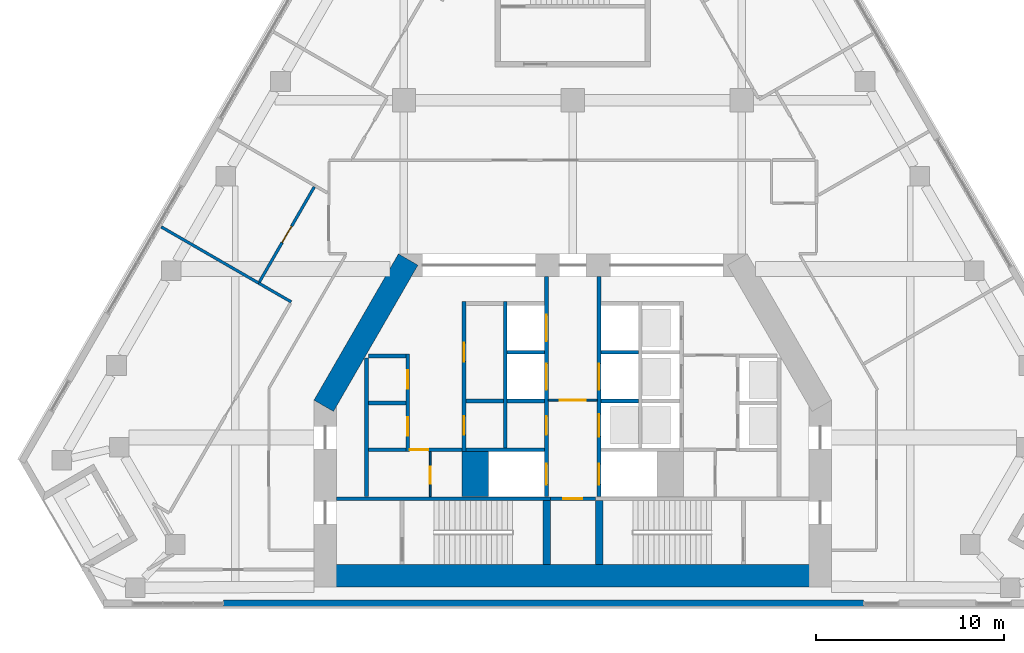
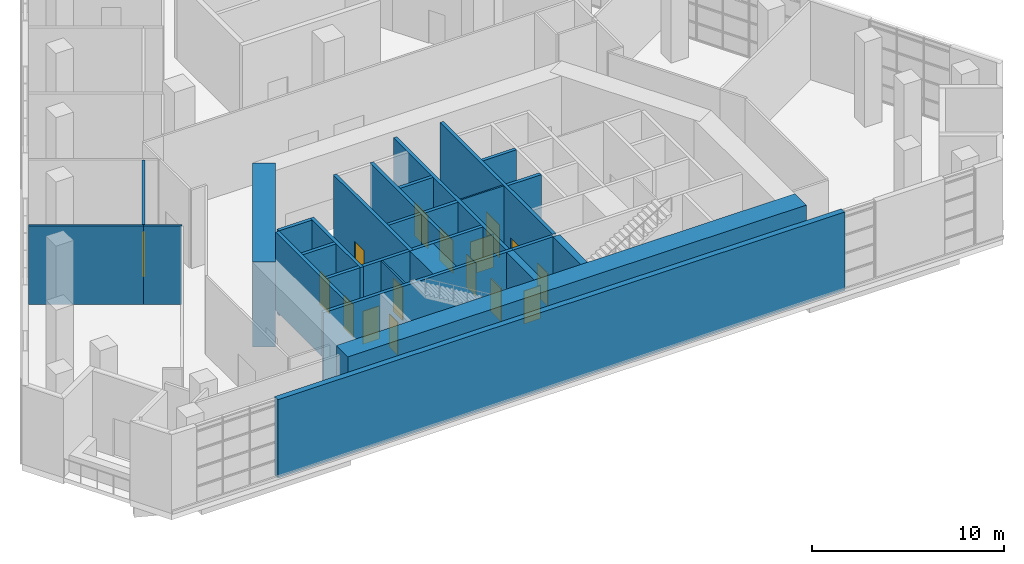
# One storey, part 13 of 18: 29 walls, 16 doors, 16 openings.
"""IFC4 building model written with IfcOpenShell, lengths in metres."""

from ifc_helpers import new_model, si_unit, direction, frame, frame_2d, origin, place, context, subcontext, project, spatial, rectangle, extrude, material, layer, layer_set, type_object, element, fill, save


model = new_model("IFC4")

# Units and contexts
model_context = context("Model", 3, precision=1e-05, world=origin(), true_north=direction((0.0, 1.0)))
body_context = subcontext(model_context, "Body", "Model", "MODEL_VIEW")
ifc_project = project(units=[si_unit("LENGTHUNIT", "METRE"), si_unit("AREAUNIT", "SQUARE_METRE"), si_unit("VOLUMEUNIT", "CUBIC_METRE"), si_unit("PLANEANGLEUNIT", "RADIAN"), si_unit("MASSUNIT", "GRAM", prefix="KILO")], contexts=[model_context])

# Site, building, storey
site_placement = place(None, origin())
site = spatial("IfcSite", under=ifc_project, at=site_placement, CompositionType="ELEMENT")
building_placement = place(site_placement, origin())
building = spatial("IfcBuilding", under=site, at=building_placement, Name="Fogline Exchange Tower", CompositionType="ELEMENT")
storey_placement = place(building_placement, frame((0.0, 0.0, 137.5)))
storey = spatial("IfcBuildingStorey", under=building, at=storey_placement, Name="L30", CompositionType="ELEMENT", Elevation=137.5)

# Wall, opening, door
ifc_material_1 = material(Name="Blockwork partition", Category="masonry")
ifc_layer_1 = layer(ifc_material_1, 0.10009765625)
ifc_layer_set_1 = layer_set([ifc_layer_1], Name="CW10")
wall_type_1 = type_object("IfcWallType", Name="CW10", PredefinedType="PARTITIONING", material=ifc_layer_set_1)
wall_1_placement = place(storey_placement, frame((-7.60009765625, 5.85009765625, 0.0), z_axis=(0.0, 0.0, 1.0), x_axis=(0.0, 1.0, 0.0)))
wall_1 = element("IfcWall", 1, at=wall_1_placement, inside=storey, type_object=wall_type_1, Name="WC partition", PredefinedType="PARTITIONING", context=body_context, shape_type="SweptSolid", body=[
    extrude(rectangle(XDim=2.39990234375, YDim=0.10009765625, at=frame_2d((1.199951171875, 0.0))), origin(), (0.0, 0.0, 1.0), 5.0),
])
opening_1_placement = place(wall_1_placement, frame((0.699951171875, 0.0, 0.0)))
opening_1 = element("IfcOpeningElement", 2, at=opening_1_placement, cuts=wall_1, Name="Opening T09-C008", PredefinedType="OPENING", context=body_context, shape_type="SweptSolid", body=[
    extrude(rectangle(XDim=0.89990234375, YDim=2.10009765625, at=frame_2d((0.449951171875, 1.050048828125))), frame((0.0, 0.06005859375, 0.0), z_axis=(0.0, -1.0, 0.0), x_axis=(1.0, 0.0, 0.0)), (0.0, 0.0, 1.0), 0.1201171875),
])
ifc_material_2 = material(Name="Steel and timber fire door", Category="steel")
door_type_1 = type_object("IfcDoorType", Name="D-CS1", OperationType="SINGLE_SWING_RIGHT", PredefinedType="DOOR", material=ifc_material_2)
door_1_placement = place(opening_1_placement, frame((0.89990234375, 0.0, 0.0), z_axis=(0.0, 0.0, 1.0), x_axis=(-1.0, 0.0, 0.0)))
door_1 = element("IfcDoor", 3, at=door_1_placement, inside=storey, type_object=door_type_1, Name="Door to Cleaner's Store", OperationType="SINGLE_SWING_RIGHT", OverallHeight=2.10009765625, OverallWidth=0.89990234375, PredefinedType="DOOR", context=body_context, shape_type="SweptSolid", body=[
    extrude(rectangle(XDim=0.89990234375, YDim=2.10009765625, at=frame_2d((0.449951171875, 1.050048828125))), frame((0.0, 0.02490234375, 0.0), z_axis=(0.0, -1.0, 0.0), x_axis=(1.0, 0.0, 0.0)), (0.0, 0.0, 1.0), 0.050048828125),
])
fill(opening_1, door_1)

wall_2_placement = place(storey_placement, frame((-1.300048828125, 11.0, 0.0), z_axis=(0.0, 0.0, 1.0), x_axis=(1.0, 0.0, 0.0)))
wall_2 = element("IfcWall", 4, at=wall_2_placement, inside=storey, type_object=wall_type_1, Name="Lift lobby partition", PredefinedType="PARTITIONING", context=body_context, shape_type="SweptSolid", body=[
    extrude(rectangle(XDim=2.60009765625, YDim=0.10009765625, at=frame_2d((1.300048828125, 0.0))), origin(), (0.0, 0.0, 1.0), 5.0),
])
opening_2_placement = place(wall_2_placement, frame((0.60009765625, 0.0, 0.0)))
opening_2 = element("IfcOpeningElement", 5, at=opening_2_placement, cuts=wall_2, Name="Opening T09-C018", PredefinedType="OPENING", context=body_context, shape_type="SweptSolid", body=[
    extrude(rectangle(XDim=1.39990234375, YDim=2.10009765625, at=frame_2d((0.699951171875, 1.050048828125))), frame((0.0, 0.06005859375, 0.0), z_axis=(0.0, -1.0, 0.0), x_axis=(1.0, 0.0, 0.0)), (0.0, 0.0, 1.0), 0.1201171875),
])
door_type_2 = type_object("IfcDoorType", Name="D-LB1", OperationType="DOUBLE_DOOR_SINGLE_SWING", PredefinedType="DOOR", material=ifc_material_2)
door_2_placement = place(opening_2_placement, frame((1.39990234375, 0.0, 0.0), z_axis=(0.0, 0.0, 1.0), x_axis=(-1.0, 0.0, 0.0)))
door_2 = element("IfcDoor", 6, at=door_2_placement, inside=storey, type_object=door_type_2, Name="Door to firefighting lift lobby", OperationType="DOUBLE_DOOR_SINGLE_SWING", OverallHeight=2.10009765625, OverallWidth=1.39990234375, PredefinedType="DOOR", context=body_context, shape_type="SweptSolid", body=[
    extrude(rectangle(XDim=1.39990234375, YDim=2.10009765625, at=frame_2d((0.699951171875, 1.050048828125))), frame((0.0, 0.02490234375, 0.0), z_axis=(0.0, -1.0, 0.0), x_axis=(1.0, 0.0, 0.0)), (0.0, 0.0, 1.0), 0.050048828125),
])
fill(opening_2, door_2)

# Walls
ifc_material_3 = material(Name="Concrete C60", Category="concrete")
ifc_layer_2 = layer(ifc_material_3, 1.39990234375)
ifc_layer_set_2 = layer_set([ifc_layer_2], Name="CW140")
wall_type_2 = type_object("IfcWallType", Name="CW140", PredefinedType="SOLIDWALL", material=ifc_layer_set_2)
wall_3_placement = place(storey_placement, frame((-5.199951171875, 5.85009765625, -0.39990234375), z_axis=(0.0, 0.0, 1.0), x_axis=(0.0, 1.0, 0.0)))
element("IfcWall", 7, at=wall_3_placement, inside=storey, type_object=wall_type_2, Name="Lift shaft block wall", PredefinedType="SOLIDWALL", context=body_context, shape_type="SweptSolid", body=[
    extrude(rectangle(XDim=2.39990234375, YDim=1.39990234375, at=frame_2d((1.199951171875, 0.0))), origin(), (0.0, 0.0, 1.0), 5.39990234375),
])
ifc_material_4 = material(Name="Concrete C40", Category="concrete")
ifc_layer_3 = layer(ifc_material_4, 0.199951171875)
ifc_layer_set_3 = layer_set([ifc_layer_3], Name="CW20")
wall_type_3 = type_object("IfcWallType", Name="CW20", PredefinedType="SOLIDWALL", material=ifc_layer_set_3)
wall_4_placement = place(storey_placement, frame((-11.0, 5.85009765625, 0.0), z_axis=(0.0, 0.0, 1.0), x_axis=(0.0, 1.0, 0.0)))
element("IfcWall", 8, at=wall_4_placement, inside=storey, type_object=wall_type_3, Name="Service room wall", PredefinedType="SOLIDWALL", context=body_context, shape_type="SweptSolid", body=[
    extrude(rectangle(XDim=7.39990234375, YDim=0.199951171875, at=frame_2d((3.699951171875, 0.0))), origin(), (0.0, 0.0, 1.0), 5.0),
])
for number, where, z_axis, x_axis, name in (
    (9, (-10.89990234375, 10.85009765625, 0.0), (0.0, 0.0, 1.0), (1.0, 0.0, 0.0), "Service room wall"),
    (10, (-5.699951171875, 10.949951171875, 0.0), (0.0, 0.0, 1.0), (1.0, 0.0, 0.0), "Service room wall"),
):
    element("IfcWall", number, at=place(storey_placement, frame(where, z_axis=z_axis, x_axis=x_axis)), inside=storey, type_object=wall_type_3, Name=name, PredefinedType="SOLIDWALL", context=body_context, shape_type="SweptSolid", body=[
        extrude(rectangle(XDim=2.0, YDim=0.199951171875, at=frame_2d((1.0, 0.0))), origin(), (0.0, 0.0, 1.0), 5.0),
    ])

# Wall, opening, door
wall_5_placement = place(storey_placement, frame((-8.699951171875, 8.35009765625, 0.0), z_axis=(0.0, 0.0, 1.0), x_axis=(1.0, 0.0, 0.0)))
wall_5 = element("IfcWall", 11, at=wall_5_placement, inside=storey, type_object=wall_type_3, Name="WC wall", PredefinedType="SOLIDWALL", context=body_context, shape_type="SweptSolid", body=[
    extrude(rectangle(XDim=2.800048828125, YDim=0.199951171875, at=frame_2d((1.39990234375, 0.0))), origin(), (0.0, 0.0, 1.0), 5.0),
])
opening_3_placement = place(wall_5_placement, origin())
opening_3 = element("IfcOpeningElement", 12, at=opening_3_placement, cuts=wall_5, Name="Opening T09-C007", PredefinedType="OPENING", context=body_context, shape_type="SweptSolid", body=[
    extrude(rectangle(XDim=1.0, YDim=2.10009765625, at=frame_2d((0.5, 1.050048828125))), frame((0.0, 0.10986328125, 0.0), z_axis=(0.0, -1.0, 0.0), x_axis=(1.0, 0.0, 0.0)), (0.0, 0.0, 1.0), 0.219970703125),
])
door_type_3 = type_object("IfcDoorType", Name="D-WC1", OperationType="SINGLE_SWING_LEFT", PredefinedType="DOOR", material=ifc_material_2)
door_3_placement = place(opening_3_placement, frame((1.0, 0.0, 0.0), z_axis=(0.0, 0.0, 1.0), x_axis=(-1.0, 0.0, 0.0)))
door_3 = element("IfcDoor", 13, at=door_3_placement, inside=storey, type_object=door_type_3, Name="Door to Men's WC", OperationType="SINGLE_SWING_LEFT", OverallHeight=2.10009765625, OverallWidth=1.0, PredefinedType="DOOR", context=body_context, shape_type="SweptSolid", body=[
    extrude(rectangle(XDim=1.0, YDim=2.10009765625, at=frame_2d((0.5, 1.050048828125))), frame((0.0, 0.02490234375, 0.0), z_axis=(0.0, -1.0, 0.0), x_axis=(1.0, 0.0, 0.0)), (0.0, 0.0, 1.0), 0.050048828125),
])
fill(opening_3, door_3)

# Wall
ifc_layer_4 = layer(ifc_material_4, 0.199951171875)
ifc_layer_set_4 = layer_set([ifc_layer_4], Name="CW20R")
wall_type_4 = type_object("IfcWallType", Name="CW20R", PredefinedType="SOLIDWALL", material=ifc_layer_set_4)
wall_6_placement = place(storey_placement, frame((-12.60009765625, 5.75, -0.39990234375), z_axis=(0.0, 0.0, 1.0), x_axis=(1.0, 0.0, 0.0)))
element("IfcWall", 14, at=wall_6_placement, inside=storey, type_object=wall_type_4, Name="Stair enclosure wall", PredefinedType="SOLIDWALL", context=body_context, shape_type="SweptSolid", body=[
    extrude(rectangle(XDim=11.400146484375, YDim=0.199951171875, at=frame_2d((5.7001953125, 0.0))), origin(), (0.0, 0.0, 1.0), 5.39990234375),
])

# Wall, opening, door
wall_7_placement = place(storey_placement, frame((-1.199951171875, 5.75, -0.39990234375), z_axis=(0.0, 0.0, 1.0), x_axis=(1.0, 0.0, 0.0)))
wall_7 = element("IfcWall", 15, at=wall_7_placement, inside=storey, type_object=wall_type_4, Name="Stair enclosure wall", PredefinedType="SOLIDWALL", context=body_context, shape_type="SweptSolid", body=[
    extrude(rectangle(XDim=2.39990234375, YDim=0.199951171875, at=frame_2d((1.199951171875, 0.0))), origin(), (0.0, 0.0, 1.0), 5.39990234375),
])
opening_4_placement = place(wall_7_placement, frame((0.699951171875, 0.0, 0.39990234375)))
opening_4 = element("IfcOpeningElement", 16, at=opening_4_placement, cuts=wall_7, Name="Opening T09-C006", PredefinedType="OPENING", context=body_context, shape_type="SweptSolid", body=[
    extrude(rectangle(XDim=1.0, YDim=2.10009765625, at=frame_2d((0.5, 1.050048828125))), frame((0.0, 0.10986328125, 0.0), z_axis=(0.0, -1.0, 0.0), x_axis=(1.0, 0.0, 0.0)), (0.0, 0.0, 1.0), 0.219970703125),
])
door_type_4 = type_object("IfcDoorType", Name="D-RM1", OperationType="SINGLE_SWING_LEFT", PredefinedType="DOOR", material=ifc_material_2)
door_4_placement = place(opening_4_placement, frame((1.0, 0.0, 0.0), z_axis=(0.0, 0.0, 1.0), x_axis=(-1.0, 0.0, 0.0)))
door_4 = element("IfcDoor", 17, at=door_4_placement, inside=storey, type_object=door_type_4, Name="Door to Server Room", OperationType="SINGLE_SWING_RIGHT", OverallHeight=2.10009765625, OverallWidth=1.0, PredefinedType="DOOR", context=body_context, shape_type="SweptSolid", body=[
    extrude(rectangle(XDim=1.0, YDim=2.10009765625, at=frame_2d((0.5, 1.050048828125))), frame((0.0, 0.02490234375, 0.0), z_axis=(0.0, -1.0, 0.0), x_axis=(1.0, 0.0, 0.0)), (0.0, 0.0, 1.0), 0.050048828125),
])
fill(opening_4, door_4)

# Wall, openings, doors
ifc_layer_5 = layer(ifc_material_4, 0.199951171875)
ifc_layer_set_5 = layer_set([ifc_layer_5], Name="CW20S")
wall_type_5 = type_object("IfcWallType", Name="CW20S", PredefinedType="SOLIDWALL", material=ifc_layer_set_5)
wall_8_placement = place(storey_placement, frame((-8.800048828125, 8.25, -0.39990234375), z_axis=(0.0, 0.0, 1.0), x_axis=(0.0, 1.0, 0.0)))
wall_8 = element("IfcWall", 18, at=wall_8_placement, inside=storey, type_object=wall_type_5, Name="Lift shaft wall", PredefinedType="SOLIDWALL", context=body_context, shape_type="SweptSolid", body=[
    extrude(rectangle(XDim=5.199951171875, YDim=0.199951171875, at=frame_2d((2.60009765625, 0.0))), origin(), (0.0, 0.0, 1.0), 5.39990234375),
])
opening_5_placement = place(wall_8_placement, frame((0.85009765625, 0.0, 0.39990234375)))
opening_5 = element("IfcOpeningElement", 19, at=opening_5_placement, cuts=wall_8, Name="Opening T09-C001", PredefinedType="OPENING", context=body_context, shape_type="SweptSolid", body=[
    extrude(rectangle(XDim=1.0, YDim=2.10009765625, at=frame_2d((0.5, 1.050048828125))), frame((0.0, 0.10986328125, 0.0), z_axis=(0.0, -1.0, 0.0), x_axis=(1.0, 0.0, 0.0)), (0.0, 0.0, 1.0), 0.219970703125),
])
opening_6_placement = place(wall_8_placement, frame((3.35009765625, 0.0, 0.39990234375)))
opening_6 = element("IfcOpeningElement", 20, at=opening_6_placement, cuts=wall_8, Name="Opening T09-C002", PredefinedType="OPENING", context=body_context, shape_type="SweptSolid", body=[
    extrude(rectangle(XDim=1.0, YDim=2.10009765625, at=frame_2d((0.5, 1.050048828125))), frame((0.0, 0.10986328125, 0.0), z_axis=(0.0, -1.0, 0.0), x_axis=(1.0, 0.0, 0.0)), (0.0, 0.0, 1.0), 0.219970703125),
])
door_5_placement = place(opening_5_placement, origin())
door_5 = element("IfcDoor", 21, at=door_5_placement, inside=storey, type_object=door_type_4, Name="Door to Stationery Store", OperationType="SINGLE_SWING_RIGHT", OverallHeight=2.10009765625, OverallWidth=1.0, PredefinedType="DOOR", context=body_context, shape_type="SweptSolid", body=[
    extrude(rectangle(XDim=1.0, YDim=2.10009765625, at=frame_2d((0.5, 1.050048828125))), frame((0.0, 0.02490234375, 0.0), z_axis=(0.0, -1.0, 0.0), x_axis=(1.0, 0.0, 0.0)), (0.0, 0.0, 1.0), 0.050048828125),
])
fill(opening_5, door_5)
door_6_placement = place(opening_6_placement, origin())
door_6 = element("IfcDoor", 22, at=door_6_placement, inside=storey, type_object=door_type_4, Name="Door to Records Store", OperationType="SINGLE_SWING_RIGHT", OverallHeight=2.10009765625, OverallWidth=1.0, PredefinedType="DOOR", context=body_context, shape_type="SweptSolid", body=[
    extrude(rectangle(XDim=1.0, YDim=2.10009765625, at=frame_2d((0.5, 1.050048828125))), frame((0.0, 0.02490234375, 0.0), z_axis=(0.0, -1.0, 0.0), x_axis=(1.0, 0.0, 0.0)), (0.0, 0.0, 1.0), 0.050048828125),
])
fill(opening_6, door_6)

wall_9_placement = place(storey_placement, frame((-5.800048828125, 8.25, -0.39990234375), z_axis=(0.0, 0.0, 1.0), x_axis=(0.0, 1.0, 0.0)))
wall_9 = element("IfcWall", 23, at=wall_9_placement, inside=storey, type_object=wall_type_5, Name="Lift shaft wall", PredefinedType="SOLIDWALL", context=body_context, shape_type="SweptSolid", body=[
    extrude(rectangle(XDim=8.0, YDim=0.199951171875, at=frame_2d((4.0, 0.0))), origin(), (0.0, 0.0, 1.0), 5.39990234375),
])
opening_7_placement = place(wall_9_placement, frame((0.89990234375, 0.0, 0.39990234375)))
opening_7 = element("IfcOpeningElement", 24, at=opening_7_placement, cuts=wall_9, Name="Opening T09-C003", PredefinedType="OPENING", context=body_context, shape_type="SweptSolid", body=[
    extrude(rectangle(XDim=1.0, YDim=2.10009765625, at=frame_2d((0.5, 1.050048828125))), frame((0.0, 0.10986328125, 0.0), z_axis=(0.0, -1.0, 0.0), x_axis=(1.0, 0.0, 0.0)), (0.0, 0.0, 1.0), 0.219970703125),
])
opening_8_placement = place(wall_9_placement, frame((4.800048828125, 0.0, 0.39990234375)))
opening_8 = element("IfcOpeningElement", 25, at=opening_8_placement, cuts=wall_9, Name="Opening T09-C004", PredefinedType="OPENING", context=body_context, shape_type="SweptSolid", body=[
    extrude(rectangle(XDim=1.0, YDim=2.10009765625, at=frame_2d((0.5, 1.050048828125))), frame((0.0, 0.10986328125, 0.0), z_axis=(0.0, -1.0, 0.0), x_axis=(1.0, 0.0, 0.0)), (0.0, 0.0, 1.0), 0.219970703125),
])
door_7_placement = place(opening_7_placement, frame((1.0, 0.0, 0.0), z_axis=(0.0, 0.0, 1.0), x_axis=(-1.0, 0.0, 0.0)))
door_7 = element("IfcDoor", 26, at=door_7_placement, inside=storey, type_object=door_type_4, Name="Door to Riser Room", OperationType="SINGLE_SWING_LEFT", OverallHeight=2.10009765625, OverallWidth=1.0, PredefinedType="DOOR", context=body_context, shape_type="SweptSolid", body=[
    extrude(rectangle(XDim=1.0, YDim=2.10009765625, at=frame_2d((0.5, 1.050048828125))), frame((0.0, 0.02490234375, 0.0), z_axis=(0.0, -1.0, 0.0), x_axis=(1.0, 0.0, 0.0)), (0.0, 0.0, 1.0), 0.050048828125),
])
fill(opening_7, door_7)
door_8_placement = place(opening_8_placement, frame((1.0, 0.0, 0.0), z_axis=(0.0, 0.0, 1.0), x_axis=(-1.0, 0.0, 0.0)))
door_8 = element("IfcDoor", 27, at=door_8_placement, inside=storey, type_object=door_type_4, Name="Door to Archive Room", OperationType="SINGLE_SWING_RIGHT", OverallHeight=2.10009765625, OverallWidth=1.0, PredefinedType="DOOR", context=body_context, shape_type="SweptSolid", body=[
    extrude(rectangle(XDim=1.0, YDim=2.10009765625, at=frame_2d((0.5, 1.050048828125))), frame((0.0, 0.02490234375, 0.0), z_axis=(0.0, -1.0, 0.0), x_axis=(1.0, 0.0, 0.0)), (0.0, 0.0, 1.0), 0.050048828125),
])
fill(opening_8, door_8)

# Wall
wall_10_placement = place(storey_placement, frame((-3.60009765625, 8.449951171875, -0.39990234375), z_axis=(0.0, 0.0, 1.0), x_axis=(0.0, 1.0, 0.0)))
element("IfcWall", 28, at=wall_10_placement, inside=storey, type_object=wall_type_5, Name="Lift shaft wall", PredefinedType="SOLIDWALL", context=body_context, shape_type="SweptSolid", body=[
    extrude(rectangle(XDim=7.800048828125, YDim=0.199951171875, at=frame_2d((3.89990234375, 0.0))), origin(), (0.0, 0.0, 1.0), 5.39990234375),
])

# Wall, openings, doors
wall_11_placement = place(storey_placement, frame((-1.39990234375, 5.85009765625, -0.39990234375), z_axis=(0.0, 0.0, 1.0), x_axis=(0.0, 1.0, 0.0)))
wall_11 = element("IfcWall", 29, at=wall_11_placement, inside=storey, type_object=wall_type_5, Name="Lift lobby wall", PredefinedType="SOLIDWALL", context=body_context, shape_type="SweptSolid", body=[
    extrude(rectangle(XDim=11.75, YDim=0.199951171875, at=frame_2d((5.875, 0.0))), origin(), (0.0, 0.0, 1.0), 5.39990234375),
])
opening_9_placement = place(wall_11_placement, frame((5.699951171875, 0.0, 0.39990234375)))
opening_9 = element("IfcOpeningElement", 30, at=opening_9_placement, cuts=wall_11, Name="Opening T09-LD01", PredefinedType="OPENING", context=body_context, shape_type="SweptSolid", body=[
    extrude(rectangle(XDim=1.39990234375, YDim=2.10009765625, at=frame_2d((0.699951171875, 1.050048828125))), frame((0.0, 0.10986328125, 0.0), z_axis=(0.0, -1.0, 0.0), x_axis=(1.0, 0.0, 0.0)), (0.0, 0.0, 1.0), 0.219970703125),
])
opening_10_placement = place(wall_11_placement, frame((8.300048828125, 0.0, 0.39990234375)))
opening_10 = element("IfcOpeningElement", 31, at=opening_10_placement, cuts=wall_11, Name="Opening T09-LD02", PredefinedType="OPENING", context=body_context, shape_type="SweptSolid", body=[
    extrude(rectangle(XDim=1.39990234375, YDim=2.10009765625, at=frame_2d((0.699951171875, 1.050048828125))), frame((0.0, 0.10986328125, 0.0), z_axis=(0.0, -1.0, 0.0), x_axis=(1.0, 0.0, 0.0)), (0.0, 0.0, 1.0), 0.219970703125),
])
opening_11_placement = place(wall_11_placement, frame((0.64990234375, 0.0, 0.39990234375)))
opening_11 = element("IfcOpeningElement", 32, at=opening_11_placement, cuts=wall_11, Name="Opening T09-LD03", PredefinedType="OPENING", context=body_context, shape_type="SweptSolid", body=[
    extrude(rectangle(XDim=1.10009765625, YDim=2.10009765625, at=frame_2d((0.550048828125, 1.050048828125))), frame((0.0, 0.10986328125, 0.0), z_axis=(0.0, -1.0, 0.0), x_axis=(1.0, 0.0, 0.0)), (0.0, 0.0, 1.0), 0.219970703125),
])
opening_12_placement = place(wall_11_placement, frame((3.300048828125, 0.0, 0.39990234375)))
opening_12 = element("IfcOpeningElement", 33, at=opening_12_placement, cuts=wall_11, Name="Opening T09-C005", PredefinedType="OPENING", context=body_context, shape_type="SweptSolid", body=[
    extrude(rectangle(XDim=1.0, YDim=2.10009765625, at=frame_2d((0.5, 1.050048828125))), frame((0.0, 0.10986328125, 0.0), z_axis=(0.0, -1.0, 0.0), x_axis=(1.0, 0.0, 0.0)), (0.0, 0.0, 1.0), 0.219970703125),
])
door_9_placement = place(opening_12_placement, origin())
door_9 = element("IfcDoor", 34, at=door_9_placement, inside=storey, type_object=door_type_4, Name="Door to Cable Store", OperationType="SINGLE_SWING_LEFT", OverallHeight=2.10009765625, OverallWidth=1.0, PredefinedType="DOOR", context=body_context, shape_type="SweptSolid", body=[
    extrude(rectangle(XDim=1.0, YDim=2.10009765625, at=frame_2d((0.5, 1.050048828125))), frame((0.0, 0.02490234375, 0.0), z_axis=(0.0, -1.0, 0.0), x_axis=(1.0, 0.0, 0.0)), (0.0, 0.0, 1.0), 0.050048828125),
])
fill(opening_12, door_9)
door_type_5 = type_object("IfcDoorType", Name="LD2", OperationType="SLIDING_TO_RIGHT", PredefinedType="DOOR", material=ifc_material_2)
door_10_placement = place(opening_11_placement, origin())
door_10 = element("IfcDoor", 35, at=door_10_placement, inside=storey, type_object=door_type_5, Name="Landing door FF1", OperationType="SLIDING_TO_RIGHT", OverallHeight=2.10009765625, OverallWidth=1.10009765625, PredefinedType="DOOR", context=body_context, shape_type="SweptSolid", body=[
    extrude(rectangle(XDim=1.10009765625, YDim=2.10009765625, at=frame_2d((0.550048828125, 1.050048828125))), frame((0.0, 0.02490234375, 0.0), z_axis=(0.0, -1.0, 0.0), x_axis=(1.0, 0.0, 0.0)), (0.0, 0.0, 1.0), 0.050048828125),
])
fill(opening_11, door_10)
door_type_6 = type_object("IfcDoorType", Name="LD3", OperationType="SLIDING_TO_LEFT", PredefinedType="DOOR", material=ifc_material_2)
door_11_placement = place(opening_9_placement, origin())
door_11 = element("IfcDoor", 36, at=door_11_placement, inside=storey, type_object=door_type_6, Name="Landing door SH1", OperationType="SLIDING_TO_LEFT", OverallHeight=2.10009765625, OverallWidth=1.39990234375, PredefinedType="DOOR", context=body_context, shape_type="SweptSolid", body=[
    extrude(rectangle(XDim=1.39990234375, YDim=2.10009765625, at=frame_2d((0.699951171875, 1.050048828125))), frame((0.0, 0.02490234375, 0.0), z_axis=(0.0, -1.0, 0.0), x_axis=(1.0, 0.0, 0.0)), (0.0, 0.0, 1.0), 0.050048828125),
])
fill(opening_9, door_11)
door_12_placement = place(opening_10_placement, origin())
door_12 = element("IfcDoor", 37, at=door_12_placement, inside=storey, type_object=door_type_6, Name="Landing door SH2", OperationType="SLIDING_TO_LEFT", OverallHeight=2.10009765625, OverallWidth=1.39990234375, PredefinedType="DOOR", context=body_context, shape_type="SweptSolid", body=[
    extrude(rectangle(XDim=1.39990234375, YDim=2.10009765625, at=frame_2d((0.699951171875, 1.050048828125))), frame((0.0, 0.02490234375, 0.0), z_axis=(0.0, -1.0, 0.0), x_axis=(1.0, 0.0, 0.0)), (0.0, 0.0, 1.0), 0.050048828125),
])
fill(opening_10, door_12)

wall_12_placement = place(storey_placement, frame((1.39990234375, 5.85009765625, -0.39990234375), z_axis=(0.0, 0.0, 1.0), x_axis=(0.0, 1.0, 0.0)))
wall_12 = element("IfcWall", 38, at=wall_12_placement, inside=storey, type_object=wall_type_5, Name="Lift lobby wall", PredefinedType="SOLIDWALL", context=body_context, shape_type="SweptSolid", body=[
    extrude(rectangle(XDim=11.75, YDim=0.199951171875, at=frame_2d((5.875, 0.0))), origin(), (0.0, 0.0, 1.0), 5.39990234375),
])
opening_13_placement = place(wall_12_placement, frame((3.199951171875, 0.0, 0.39990234375)))
opening_13 = element("IfcOpeningElement", 39, at=opening_13_placement, cuts=wall_12, Name="Opening T09-LD09", PredefinedType="OPENING", context=body_context, shape_type="SweptSolid", body=[
    extrude(rectangle(XDim=1.199951171875, YDim=2.10009765625, at=frame_2d((0.60009765625, 1.050048828125))), frame((0.0, 0.10986328125, 0.0), z_axis=(0.0, -1.0, 0.0), x_axis=(1.0, 0.0, 0.0)), (0.0, 0.0, 1.0), 0.219970703125),
])
opening_14_placement = place(wall_12_placement, frame((5.699951171875, 0.0, 0.39990234375)))
opening_14 = element("IfcOpeningElement", 40, at=opening_14_placement, cuts=wall_12, Name="Opening T09-LD10", PredefinedType="OPENING", context=body_context, shape_type="SweptSolid", body=[
    extrude(rectangle(XDim=1.39990234375, YDim=2.10009765625, at=frame_2d((0.699951171875, 1.050048828125))), frame((0.0, 0.10986328125, 0.0), z_axis=(0.0, -1.0, 0.0), x_axis=(1.0, 0.0, 0.0)), (0.0, 0.0, 1.0), 0.219970703125),
])
opening_15_placement = place(wall_12_placement, frame((0.64990234375, 0.0, 0.39990234375)))
opening_15 = element("IfcOpeningElement", 41, at=opening_15_placement, cuts=wall_12, Name="Opening T09-LD11", PredefinedType="OPENING", context=body_context, shape_type="SweptSolid", body=[
    extrude(rectangle(XDim=1.10009765625, YDim=2.10009765625, at=frame_2d((0.550048828125, 1.050048828125))), frame((0.0, 0.10986328125, 0.0), z_axis=(0.0, -1.0, 0.0), x_axis=(1.0, 0.0, 0.0)), (0.0, 0.0, 1.0), 0.219970703125),
])
door_type_7 = type_object("IfcDoorType", Name="LD1", OperationType="SLIDING_TO_LEFT", PredefinedType="DOOR", material=ifc_material_2)
door_13_placement = place(opening_13_placement, origin())
door_13 = element("IfcDoor", 42, at=door_13_placement, inside=storey, type_object=door_type_7, Name="Landing door HR3", OperationType="SLIDING_TO_LEFT", OverallHeight=2.10009765625, OverallWidth=1.199951171875, PredefinedType="DOOR", context=body_context, shape_type="SweptSolid", body=[
    extrude(rectangle(XDim=1.199951171875, YDim=2.10009765625, at=frame_2d((0.60009765625, 1.050048828125))), frame((0.0, 0.02490234375, 0.0), z_axis=(0.0, -1.0, 0.0), x_axis=(1.0, 0.0, 0.0)), (0.0, 0.0, 1.0), 0.050048828125),
])
fill(opening_13, door_13)
door_14_placement = place(opening_15_placement, origin())
door_14 = element("IfcDoor", 43, at=door_14_placement, inside=storey, type_object=door_type_5, Name="Landing door FF2", OperationType="SLIDING_TO_RIGHT", OverallHeight=2.10009765625, OverallWidth=1.10009765625, PredefinedType="DOOR", context=body_context, shape_type="SweptSolid", body=[
    extrude(rectangle(XDim=1.10009765625, YDim=2.10009765625, at=frame_2d((0.550048828125, 1.050048828125))), frame((0.0, 0.02490234375, 0.0), z_axis=(0.0, -1.0, 0.0), x_axis=(1.0, 0.0, 0.0)), (0.0, 0.0, 1.0), 0.050048828125),
])
fill(opening_15, door_14)
door_15_placement = place(opening_14_placement, origin())
door_15 = element("IfcDoor", 44, at=door_15_placement, inside=storey, type_object=door_type_6, Name="Landing door SH3", OperationType="SLIDING_TO_LEFT", OverallHeight=2.10009765625, OverallWidth=1.39990234375, PredefinedType="DOOR", context=body_context, shape_type="SweptSolid", body=[
    extrude(rectangle(XDim=1.39990234375, YDim=2.10009765625, at=frame_2d((0.699951171875, 1.050048828125))), frame((0.0, 0.02490234375, 0.0), z_axis=(0.0, -1.0, 0.0), x_axis=(1.0, 0.0, 0.0)), (0.0, 0.0, 1.0), 0.050048828125),
])
fill(opening_14, door_15)

# Walls
wall_13_placement = place(storey_placement, frame((-10.89990234375, 8.35009765625, -0.39990234375), z_axis=(0.0, 0.0, 1.0), x_axis=(1.0, 0.0, 0.0)))
element("IfcWall", 45, at=wall_13_placement, inside=storey, type_object=wall_type_5, Name="Lift shaft wall", PredefinedType="SOLIDWALL", context=body_context, shape_type="SweptSolid", body=[
    extrude(rectangle(XDim=2.0, YDim=0.199951171875, at=frame_2d((1.0, 0.0))), origin(), (0.0, 0.0, 1.0), 5.39990234375),
])
wall_14_placement = place(storey_placement, frame((-5.699951171875, 8.35009765625, -0.39990234375), z_axis=(0.0, 0.0, 1.0), x_axis=(1.0, 0.0, 0.0)))
element("IfcWall", 46, at=wall_14_placement, inside=storey, type_object=wall_type_5, Name="Lift shaft wall", PredefinedType="SOLIDWALL", context=body_context, shape_type="SweptSolid", body=[
    extrude(rectangle(XDim=4.199951171875, YDim=0.199951171875, at=frame_2d((2.10009765625, 0.0))), origin(), (0.0, 0.0, 1.0), 5.39990234375),
])
for number, where, z_axis, x_axis, name in (
    (47, (-10.89990234375, 13.35009765625, -0.39990234375), (0.0, 0.0, 1.0), (1.0, 0.0, 0.0), "Lift shaft wall"),
    (48, (-3.5, 10.949951171875, -0.39990234375), (0.0, 0.0, 1.0), (1.0, 0.0, 0.0), "Lift shaft wall"),
    (49, (-3.5, 13.550048828125, -0.39990234375), (0.0, 0.0, 1.0), (1.0, 0.0, 0.0), "Lift shaft wall"),
    (50, (1.5, 10.949951171875, -0.39990234375), (0.0, 0.0, 1.0), (1.0, 0.0, 0.0), "Lift shaft wall"),
    (51, (1.5, 13.550048828125, -0.39990234375), (0.0, 0.0, 1.0), (1.0, 0.0, 0.0), "Lift shaft wall"),
):
    element("IfcWall", number, at=place(storey_placement, frame(where, z_axis=z_axis, x_axis=x_axis)), inside=storey, type_object=wall_type_5, Name=name, PredefinedType="SOLIDWALL", context=body_context, shape_type="SweptSolid", body=[
        extrude(rectangle(XDim=2.0, YDim=0.199951171875, at=frame_2d((1.0, 0.0))), origin(), (0.0, 0.0, 1.0), 5.39990234375),
    ])
ifc_layer_6 = layer(ifc_material_4, 0.39990234375)
ifc_layer_set_6 = layer_set([ifc_layer_6], Name="CW40R")
wall_type_6 = type_object("IfcWallType", Name="CW40R", PredefinedType="SOLIDWALL", material=ifc_layer_set_6)
for number, where, z_axis, x_axis, name in (
    (52, (-1.39990234375, 2.25, -0.39990234375), (0.0, 0.0, 1.0), (0.0, 1.0, 0.0), "Stair and lift shaft wall"),
    (53, (1.39990234375, 2.25, -0.39990234375), (0.0, 0.0, 1.0), (0.0, 1.0, 0.0), "Stair and lift shaft wall"),
):
    element("IfcWall", number, at=place(storey_placement, frame(where, z_axis=z_axis, x_axis=x_axis)), inside=storey, type_object=wall_type_6, Name=name, PredefinedType="SOLIDWALL", context=body_context, shape_type="SweptSolid", body=[
        extrude(rectangle(XDim=3.39990234375, YDim=0.39990234375, at=frame_2d((1.699951171875, 0.0))), origin(), (0.0, 0.0, 1.0), 5.39990234375),
    ])
ifc_material_5 = material(Name="Brick masonry", Category="masonry")
ifc_layer_7 = layer(ifc_material_5, 0.340087890625)
ifc_layer_set_7 = layer_set([ifc_layer_7], Name="FW1")
wall_type_7 = type_object("IfcWallType", Name="FW1", PredefinedType="SOLIDWALL", material=ifc_layer_set_7)
wall_15_placement = place(storey_placement, frame((-18.614990234375, 0.169921875, 0.0), z_axis=(0.0, 0.0, 1.0), x_axis=(1.0, 0.0, 0.0)))
element("IfcWall", 54, at=wall_15_placement, inside=storey, type_object=wall_type_7, Name="Brick wall L30 S bay 2", PredefinedType="SOLIDWALL", context=body_context, shape_type="SweptSolid", body=[
    extrude(rectangle(XDim=34.114990234375, YDim=0.340087890625, at=frame_2d((17.0576171875, 0.0))), origin(), (0.0, 0.0, 1.0), 5.0),
])
ifc_material_6 = material(Name="Plasterboard demising partition with mineral wool and acoustic board")
ifc_layer_8 = layer(ifc_material_6, 0.14990234375)
ifc_layer_set_8 = layer_set([ifc_layer_8], Name="PW3")
wall_type_8 = type_object("IfcWallType", Name="PW3", PredefinedType="PARTITIONING", material=ifc_layer_set_8)
wall_16_placement = place(storey_placement, frame((-16.746337890625, 17.240478515625, 0.0), z_axis=(0.0, 0.0, 1.0), x_axis=(-0.866020924479, 0.500007758305, 0.0)))
element("IfcWall", 55, at=wall_16_placement, inside=storey, type_object=wall_type_8, Name="wall-L30-W051", PredefinedType="PARTITIONING", context=body_context, shape_type="SweptSolid", body=[
    extrude(rectangle(XDim=6.0, YDim=0.14990234375, at=frame_2d((3.0, 0.0))), origin(), (0.0, 0.0, 1.0), 5.0),
])

# Wall, opening, door
wall_17_placement = place(storey_placement, frame((-13.78369140625, 22.37158203125, 0.0), z_axis=(0.0, 0.0, 1.0), x_axis=(-0.500012662943, -0.866018092707, 0.0)))
wall_17 = element("IfcWall", 56, at=wall_17_placement, inside=storey, type_object=wall_type_8, Name="wall-L30-W052", PredefinedType="PARTITIONING", context=body_context, shape_type="SweptSolid", body=[
    extrude(rectangle(XDim=5.849853515625, YDim=0.14990234375, at=frame_2d((2.9248046875, 0.0))), origin(), (0.0, 0.0, 1.0), 5.0),
])
opening_16_placement = place(wall_17_placement, frame((2.425048828125, 0.0, 0.0)))
opening_16 = element("IfcOpeningElement", 57, at=opening_16_placement, cuts=wall_17, Name="Opening T09-D016", PredefinedType="OPENING", context=body_context, shape_type="SweptSolid", body=[
    extrude(rectangle(XDim=1.0, YDim=2.10009765625, at=frame_2d((0.5, 1.050048828125))), frame((0.0, 0.0849609375, 0.0), z_axis=(0.0, -1.0, 0.0), x_axis=(1.0, 0.0, 0.0)), (0.0, 0.0, 1.0), 0.169921875),
])
ifc_material_7 = material(Name="Fire-rated timber door leaf with steel frame", Category="steel")
door_type_8 = type_object("IfcDoorType", Name="D3", OperationType="SINGLE_SWING_LEFT", PredefinedType="DOOR", material=ifc_material_7)
door_16_placement = place(opening_16_placement, frame((1.0, 0.0, 0.0), z_axis=(0.0, 0.0, 1.0), x_axis=(-1.0, 0.0, 0.0)))
door_16 = element("IfcDoor", 58, at=door_16_placement, inside=storey, type_object=door_type_8, Name="door-L30-D016", OperationType="SINGLE_SWING_RIGHT", OverallHeight=2.10009765625, OverallWidth=1.0, PredefinedType="DOOR", context=body_context, shape_type="SweptSolid", body=[
    extrude(rectangle(XDim=1.0, YDim=2.10009765625, at=frame_2d((0.5, 1.050048828125))), frame((0.0, 0.02490234375, 0.0), z_axis=(0.0, -1.0, 0.0), x_axis=(1.0, 0.0, 0.0)), (0.0, 0.0, 1.0), 0.050048828125),
])
fill(opening_16, door_16)

# Walls
wall_18_placement = place(storey_placement, frame((-16.746337890625, 17.240478515625, 0.0), z_axis=(0.0, 0.0, 1.0), x_axis=(0.866010750942, -0.50002537861, 0.0)))
element("IfcWall", 59, at=wall_18_placement, inside=storey, type_object=wall_type_8, Name="wall-L30-W053", PredefinedType="PARTITIONING", context=body_context, shape_type="SweptSolid", body=[
    extrude(rectangle(XDim=2.0, YDim=0.14990234375, at=frame_2d((1.0, 0.0))), origin(), (0.0, 0.0, 1.0), 5.0),
])
ifc_layer_9 = layer(ifc_material_3, 1.199951171875)
ifc_layer_set_9 = layer_set([ifc_layer_9], Name="SW02")
wall_type_9 = type_object("IfcWallType", Name="SW02", PredefinedType="SHEAR", material=ifc_layer_set_9)
wall_19_placement = place(storey_placement, frame((-13.800048828125, 1.64990234375, 0.0), z_axis=(0.0, 0.0, 1.0), x_axis=(1.0, 0.0, 0.0)))
element("IfcWall", 60, at=wall_19_placement, inside=storey, type_object=wall_type_9, Name="L30-W901", PredefinedType="SHEAR", context=body_context, shape_type="SweptSolid", body=[
    extrude(rectangle(XDim=27.60009765625, YDim=1.199951171875, at=frame_2d((13.800048828125, 0.0))), origin(), (0.0, 0.0, 1.0), 5.39990234375),
])
wall_20_placement = place(storey_placement, frame((-8.776611328125, 18.5, 0.0), z_axis=(0.0, 0.0, 1.0), x_axis=(-0.499998513025, -0.866026262288, 0.0)))
element("IfcWall", 61, at=wall_20_placement, inside=storey, type_object=wall_type_9, Name="L30-W905", PredefinedType="SHEAR", context=body_context, shape_type="SweptSolid", body=[
    extrude(rectangle(XDim=9.0078125, YDim=1.199951171875, at=frame_2d((4.50390625, 0.0))), origin(), (0.0, 0.0, 1.0), 5.39990234375),
])

save(model, "model.ifc")
